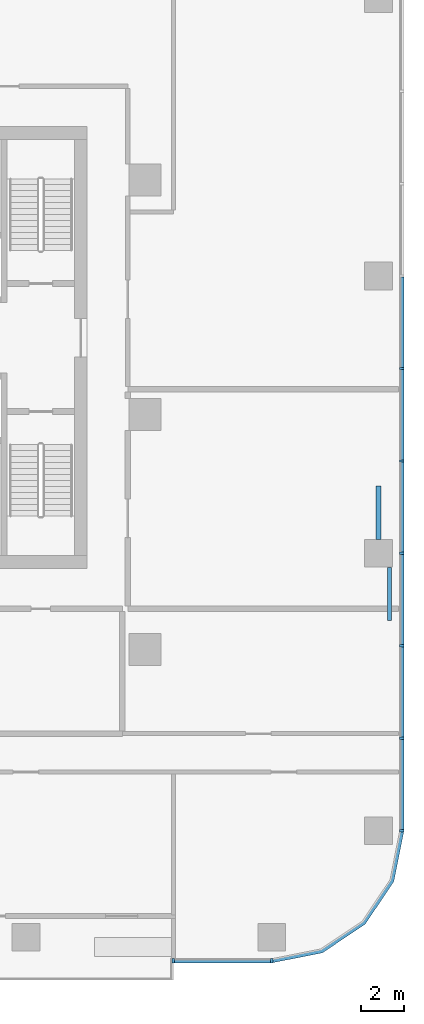
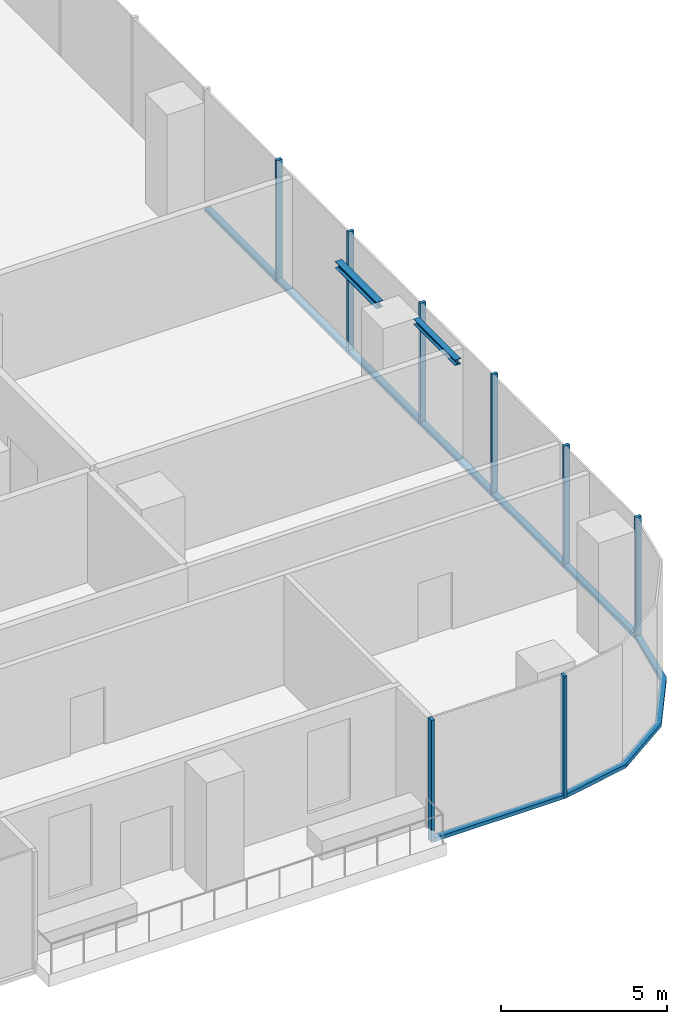
# One storey, part 3 of 15: 16 members, 2 beams, 3 elements without a shape of their own.
"""IFC4 building model written with IfcOpenShell, lengths in metres."""

from ifc_helpers import new_model, si_unit, direction, frame, origin, origin_2d, place, context, subcontext, project, spatial, polyline, rectangle, i_section, outline, extrude, material, material_profile, profile_set, type_object, element, aggregate, save


model = new_model("IFC4")

# Units and contexts
model_context = context("Model", 3, precision=1e-05, world=origin(), true_north=direction((0.0, 1.0)))
body_context = subcontext(model_context, "Body", "Model", "MODEL_VIEW")
ifc_project = project(units=[si_unit("LENGTHUNIT", "METRE"), si_unit("AREAUNIT", "SQUARE_METRE"), si_unit("VOLUMEUNIT", "CUBIC_METRE"), si_unit("PLANEANGLEUNIT", "RADIAN"), si_unit("MASSUNIT", "GRAM", prefix="KILO")], contexts=[model_context])

# Site, building, storey
site_placement = place(None, origin())
site = spatial("IfcSite", under=ifc_project, at=site_placement, CompositionType="ELEMENT")
building_placement = place(site_placement, origin())
building = spatial("IfcBuilding", under=site, at=building_placement, Name="Mopane Tessera Tower", CompositionType="ELEMENT")
storey_placement = place(building_placement, frame((0.0, 0.0, 117.10009765625)))
storey = spatial("IfcBuildingStorey", under=building, at=storey_placement, Name="L23", CompositionType="ELEMENT", Elevation=117.10009765625)

# Curtain wall, members
ifc_material_1 = material(Name="Aluminium frame", Category="aluminium")
curtain_wall_type = type_object("IfcCurtainWallType", Name="Lower tower unitised wall", PredefinedType="NOTDEFINED", material=ifc_material_1)
curtain_wall_1_placement = place(storey_placement, origin())
curtain_wall_1 = element("IfcCurtainWall", 1, at=curtain_wall_1_placement, inside=storey, type_object=curtain_wall_type, Name="e:cw:L23:S:9", PredefinedType="NOTDEFINED")
ifc_material_2 = material(Name="Aluminium frame", Category="aluminium")
ifc_material_profile_1 = material_profile(ifc_material_2, rectangle(XDim=0.110107421875, YDim=0.199951171875, at=origin_2d()))
ifc_profile_set_1 = profile_set([ifc_material_profile_1], Name="Aluminium frame")
member_type_1 = type_object("IfcMemberType", Name="Aluminium mullion 110 x 200", PredefinedType="MULLION", material=ifc_profile_set_1)
member_1_placement = place(storey_placement, frame((18.43994140625, -25.60009765625, -0.4501953125), z_axis=(0.0, 0.0, 1.0), x_axis=(1.0, 0.0, 0.0)))
member_1 = element("IfcMember", 2, at=member_1_placement, type_object=member_type_1, Name="e:cw:L23:S:9:mu9", PredefinedType="MULLION", context=body_context, shape_type="SweptSolid", body=[
    extrude(rectangle(XDim=0.110107421875, YDim=0.199951171875, at=origin_2d()), origin(), (0.0, 0.0, 1.0), 4.5),
])
member_2_placement = place(storey_placement, frame((23.050048828125, -25.60009765625, -0.4501953125), z_axis=(0.0, 0.0, 1.0), x_axis=(1.0, 0.0, 0.0)))
member_2 = element("IfcMember", 3, at=member_2_placement, type_object=member_type_1, Name="e:cw:L23:S:9:mu10", PredefinedType="MULLION", context=body_context, shape_type="SweptSolid", body=[
    extrude(rectangle(XDim=0.110107421875, YDim=0.199951171875, at=origin_2d()), origin(), (0.0, 0.0, 1.0), 4.5),
])

curtain_wall_2_placement = place(storey_placement, origin())
curtain_wall_2 = element("IfcCurtainWall", 4, at=curtain_wall_2_placement, inside=storey, type_object=curtain_wall_type, Name="e:cw:L23:E:0", PredefinedType="NOTDEFINED")
member_3_placement = place(storey_placement, frame((29.14990234375, -19.5, -0.4501953125), z_axis=(0.0, 0.0, 1.0), x_axis=(0.0, 1.0, 0.0)))
member_3 = element("IfcMember", 5, at=member_3_placement, type_object=member_type_1, Name="e:cw:L23:E:0:mu0", PredefinedType="MULLION", context=body_context, shape_type="SweptSolid", body=[
    extrude(rectangle(XDim=0.110107421875, YDim=0.199951171875, at=origin_2d()), origin(), (0.0, 0.0, 1.0), 4.5),
])
member_4_placement = place(storey_placement, frame((29.14990234375, -15.166748046875, -0.4501953125), z_axis=(0.0, 0.0, 1.0), x_axis=(0.0, 1.0, 0.0)))
member_4 = element("IfcMember", 6, at=member_4_placement, type_object=member_type_1, Name="e:cw:L23:E:0:mu1", PredefinedType="MULLION", context=body_context, shape_type="SweptSolid", body=[
    extrude(rectangle(XDim=0.110107421875, YDim=0.199951171875, at=origin_2d()), origin(), (0.0, 0.0, 1.0), 4.5),
])
member_5_placement = place(storey_placement, frame((29.14990234375, -10.833251953125, -0.4501953125), z_axis=(0.0, 0.0, 1.0), x_axis=(0.0, 1.0, 0.0)))
member_5 = element("IfcMember", 7, at=member_5_placement, type_object=member_type_1, Name="e:cw:L23:E:0:mu2", PredefinedType="MULLION", context=body_context, shape_type="SweptSolid", body=[
    extrude(rectangle(XDim=0.110107421875, YDim=0.199951171875, at=origin_2d()), origin(), (0.0, 0.0, 1.0), 4.5),
])
member_6_placement = place(storey_placement, frame((29.14990234375, -6.5, -0.4501953125), z_axis=(0.0, 0.0, 1.0), x_axis=(0.0, 1.0, 0.0)))
member_6 = element("IfcMember", 8, at=member_6_placement, type_object=member_type_1, Name="e:cw:L23:E:0:mu3", PredefinedType="MULLION", context=body_context, shape_type="SweptSolid", body=[
    extrude(rectangle(XDim=0.110107421875, YDim=0.199951171875, at=origin_2d()), origin(), (0.0, 0.0, 1.0), 4.5),
])
member_7_placement = place(storey_placement, frame((29.14990234375, -2.166748046875, -0.4501953125), z_axis=(0.0, 0.0, 1.0), x_axis=(0.0, 1.0, 0.0)))
member_7 = element("IfcMember", 9, at=member_7_placement, type_object=member_type_1, Name="e:cw:L23:E:0:mu4", PredefinedType="MULLION", context=body_context, shape_type="SweptSolid", body=[
    extrude(rectangle(XDim=0.110107421875, YDim=0.199951171875, at=origin_2d()), origin(), (0.0, 0.0, 1.0), 4.5),
])
member_8_placement = place(storey_placement, frame((29.14990234375, 2.166748046875, -0.4501953125), z_axis=(0.0, 0.0, 1.0), x_axis=(0.0, 1.0, 0.0)))
member_8 = element("IfcMember", 10, at=member_8_placement, type_object=member_type_1, Name="e:cw:L23:E:0:mu5", PredefinedType="MULLION", context=body_context, shape_type="SweptSolid", body=[
    extrude(rectangle(XDim=0.110107421875, YDim=0.199951171875, at=origin_2d()), origin(), (0.0, 0.0, 1.0), 4.5),
])

# Member
ifc_material_3 = material(Name="Aluminium frame", Category="aluminium")
ifc_material_profile_2 = material_profile(ifc_material_3, rectangle(XDim=0.199951171875, YDim=0.139892578125, at=origin_2d()))
ifc_profile_set_2 = profile_set([ifc_material_profile_2], Name="Aluminium frame")
member_type_2 = type_object("IfcMemberType", Name="Aluminium transom 200 x 140", PredefinedType="USERDEFINED", material=ifc_profile_set_2)
member_9_placement = place(storey_placement, frame((18.4951171875, -25.60009765625, -0.380126953125), z_axis=(1.0, 0.0, 0.0), x_axis=(0.0, 1.0, 0.0)))
member_9 = element("IfcMember", 11, at=member_9_placement, type_object=member_type_2, Name="e:cw:L23:S:9:tr9", ObjectType="TRANSOM", PredefinedType="USERDEFINED", context=body_context, shape_type="SweptSolid", body=[
    extrude(rectangle(XDim=0.199951171875, YDim=0.139892578125, at=origin_2d()), origin(), (0.0, 0.0, 1.0), 4.5),
])

aggregate(curtain_wall_1, [member_1, member_2, member_9])

# Curtain wall, member
curtain_wall_3_placement = place(storey_placement, origin())
curtain_wall_3 = element("IfcCurtainWall", 12, at=curtain_wall_3_placement, inside=storey, type_object=curtain_wall_type, Name="e:cw:L23:CS", PredefinedType="NOTDEFINED")
member_10_placement = place(storey_placement, frame((0.0, 0.0, -0.4501953125)))
member_10 = element("IfcMember", 13, at=member_10_placement, type_object=member_type_2, Name="e:cw:L23:CS:tr", ObjectType="TRANSOM", PredefinedType="USERDEFINED", context=body_context, shape_type="SweptSolid", body=[
    extrude(outline(polyline([(23.050048828125, -25.5), (25.34619140625, -25.043212890625), (27.292724609375, -23.74267578125), (28.59326171875, -21.796142578125), (29.050048828125, -19.5), (29.25, -19.5), (28.778076171875, -21.87255859375), (27.43408203125, -23.884033203125), (25.422607421875, -25.22802734375), (23.050048828125, -25.699951171875), (23.050048828125, -25.5)])), origin(), (0.0, 0.0, 1.0), 0.14013671875),
])
aggregate(curtain_wall_3, [member_10])

# Member
member_11_placement = place(storey_placement, frame((29.14990234375, -19.445068359375, -0.380126953125), z_axis=(0.0, 1.0, 0.0), x_axis=(-1.0, 0.0, 0.0)))
member_11 = element("IfcMember", 14, at=member_11_placement, type_object=member_type_2, Name="e:cw:L23:E:0:tr0", ObjectType="TRANSOM", PredefinedType="USERDEFINED", context=body_context, shape_type="SweptSolid", body=[
    extrude(rectangle(XDim=0.199951171875, YDim=0.139892578125, at=origin_2d()), origin(), (0.0, 0.0, 1.0), 4.223388671875),
])

member_12_placement = place(storey_placement, frame((29.14990234375, -15.111572265625, -0.380126953125), z_axis=(0.0, 1.0, 0.0), x_axis=(-1.0, 0.0, 0.0)))
member_12 = element("IfcMember", 15, at=member_12_placement, type_object=member_type_2, Name="e:cw:L23:E:0:tr1", ObjectType="TRANSOM", PredefinedType="USERDEFINED", context=body_context, shape_type="SweptSolid", body=[
    extrude(rectangle(XDim=0.199951171875, YDim=0.139892578125, at=origin_2d()), origin(), (0.0, 0.0, 1.0), 4.22314453125),
])

member_13_placement = place(storey_placement, frame((29.14990234375, -10.7783203125, -0.380126953125), z_axis=(0.0, 1.0, 0.0), x_axis=(-1.0, 0.0, 0.0)))
member_13 = element("IfcMember", 16, at=member_13_placement, type_object=member_type_2, Name="e:cw:L23:E:0:tr2", ObjectType="TRANSOM", PredefinedType="USERDEFINED", context=body_context, shape_type="SweptSolid", body=[
    extrude(rectangle(XDim=0.199951171875, YDim=0.139892578125, at=origin_2d()), origin(), (0.0, 0.0, 1.0), 4.223388671875),
])

member_14_placement = place(storey_placement, frame((29.14990234375, -6.445068359375, -0.380126953125), z_axis=(0.0, 1.0, 0.0), x_axis=(-1.0, 0.0, 0.0)))
member_14 = element("IfcMember", 17, at=member_14_placement, type_object=member_type_2, Name="e:cw:L23:E:0:tr3", ObjectType="TRANSOM", PredefinedType="USERDEFINED", context=body_context, shape_type="SweptSolid", body=[
    extrude(rectangle(XDim=0.199951171875, YDim=0.139892578125, at=origin_2d()), origin(), (0.0, 0.0, 1.0), 4.223388671875),
])

member_15_placement = place(storey_placement, frame((29.14990234375, -2.111572265625, -0.380126953125), z_axis=(0.0, 1.0, 0.0), x_axis=(-1.0, 0.0, 0.0)))
member_15 = element("IfcMember", 18, at=member_15_placement, type_object=member_type_2, Name="e:cw:L23:E:0:tr4", ObjectType="TRANSOM", PredefinedType="USERDEFINED", context=body_context, shape_type="SweptSolid", body=[
    extrude(rectangle(XDim=0.199951171875, YDim=0.139892578125, at=origin_2d()), origin(), (0.0, 0.0, 1.0), 4.22314453125),
])

member_16_placement = place(storey_placement, frame((29.14990234375, 2.2216796875, -0.380126953125), z_axis=(0.0, 1.0, 0.0), x_axis=(-1.0, 0.0, 0.0)))
member_16 = element("IfcMember", 19, at=member_16_placement, type_object=member_type_2, Name="e:cw:L23:E:0:tr5", ObjectType="TRANSOM", PredefinedType="USERDEFINED", context=body_context, shape_type="SweptSolid", body=[
    extrude(rectangle(XDim=0.199951171875, YDim=0.139892578125, at=origin_2d()), origin(), (0.0, 0.0, 1.0), 4.223388671875),
])

aggregate(curtain_wall_2, [member_3, member_4, member_5, member_6, member_7, member_8, member_11, member_12, member_13, member_14, member_15, member_16])

# Beams
ifc_material_4 = material(Name="Structural steel S460", Category="steel")
ifc_material_profile_3 = material_profile(ifc_material_4, i_section(OverallWidth=0.239990234375, OverallDepth=0.239990234375, WebThickness=0.010009765625, FlangeThickness=0.01708984375, FilletRadius=0.02099609375, at=origin_2d()))
ifc_profile_set_3 = profile_set([ifc_material_profile_3], Name="Structural steel S460")
beam_type_1 = type_object("IfcBeamType", Name="Terrace spandrel beam HE 240 B", PredefinedType="SPANDREL", material=ifc_profile_set_3)
beam_1_placement = place(storey_placement, frame((28.050048828125, -5.846923828125, 3.929931640625), z_axis=(0.0, 1.0, 0.0), x_axis=(-1.0, 0.0, 0.0)))
element("IfcBeam", 20, at=beam_1_placement, inside=storey, type_object=beam_type_1, Name="Terrace spandrel beam N3 L24", PredefinedType="SPANDREL", context=body_context, shape_type="SweptSolid", body=[
    extrude(i_section(OverallWidth=0.239990234375, OverallDepth=0.239990234375, WebThickness=0.010009765625, FlangeThickness=0.01708984375, FilletRadius=0.02099609375, at=origin_2d()), origin(), (0.0, 0.0, 1.0), 2.5),
])
ifc_material_5 = material(Name="Structural steel S460", Category="steel")
ifc_material_profile_4 = material_profile(ifc_material_5, i_section(OverallWidth=0.199951171875, OverallDepth=0.199951171875, WebThickness=0.009033203125, FlangeThickness=0.014892578125, FilletRadius=0.01806640625, at=origin_2d()))
ifc_profile_set_4 = profile_set([ifc_material_profile_4], Name="Structural steel S460")
beam_type_2 = type_object("IfcBeamType", Name="Terrace trimmer beam HE 200 B", PredefinedType="BEAM", material=ifc_profile_set_4)
beam_2_placement = place(storey_placement, frame((28.570068359375, -7.153076171875, 3.949951171875), z_axis=(0.0, -1.0, 0.0), x_axis=(1.0, 0.0, 0.0)))
element("IfcBeam", 21, at=beam_2_placement, inside=storey, type_object=beam_type_2, Name="Terrace trimmer beam N3 L24", PredefinedType="BEAM", context=body_context, shape_type="SweptSolid", body=[
    extrude(i_section(OverallWidth=0.199951171875, OverallDepth=0.199951171875, WebThickness=0.009033203125, FlangeThickness=0.014892578125, FilletRadius=0.01806640625, at=origin_2d()), origin(), (0.0, 0.0, 1.0), 2.5),
])

save(model, "model.ifc")
